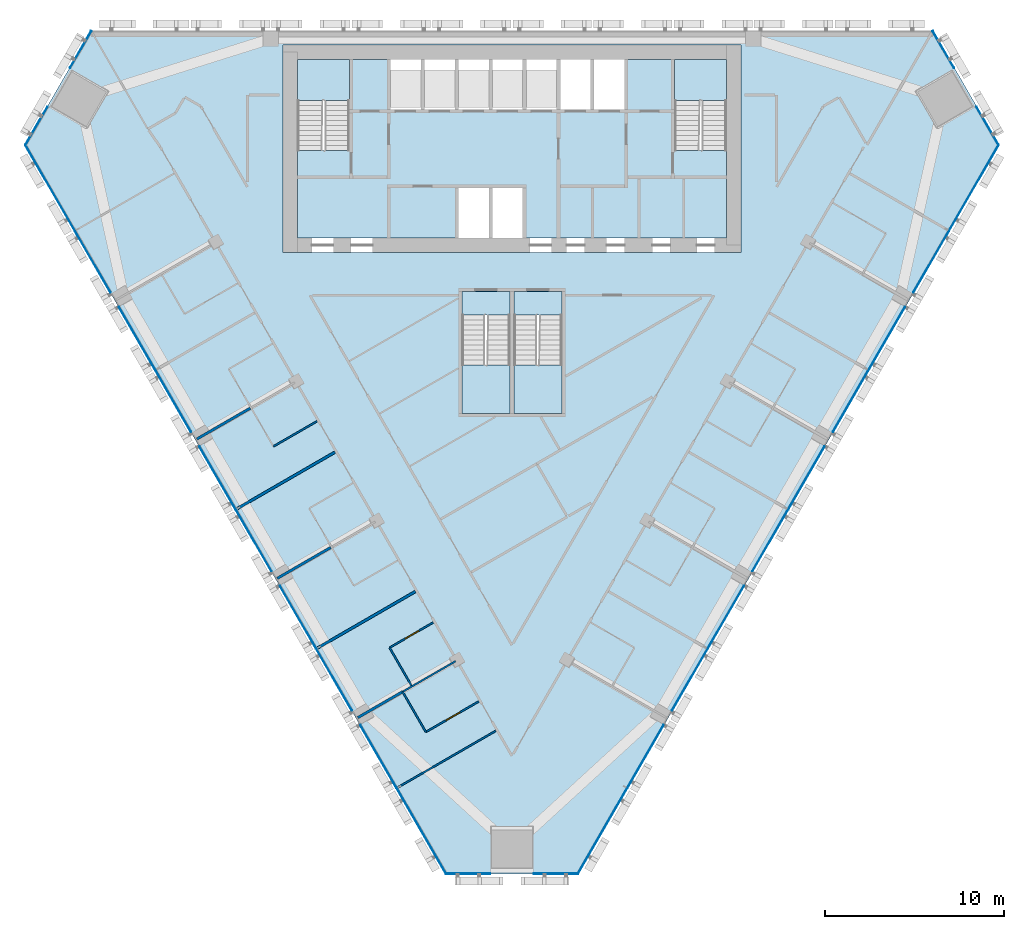
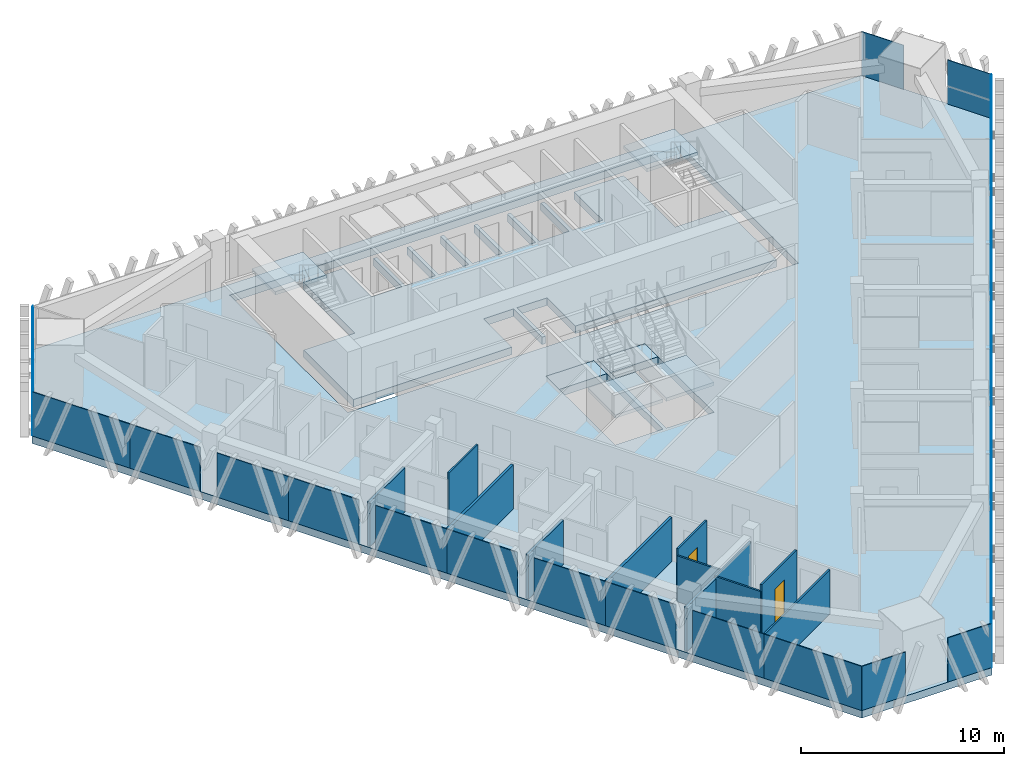
# One storey, part 8 of 16: 26 plates, 12 walls, 8 slabs, 2 doors, 2 openings, 9 elements without a shape of their own.
"""IFC4 building model written with IfcOpenShell, lengths in metres."""

from ifc_helpers import new_model, si_unit, direction, frame, frame_2d, origin, origin_2d, place, context, subcontext, project, spatial, polyline, rectangle, outline, extrude, material, layer, layer_set, type_object, element, fill, aggregate, save


model = new_model("IFC4")

# Units and contexts
model_context = context("Model", 3, precision=1e-05, world=origin(), true_north=direction((0.0, 1.0)))
body_context = subcontext(model_context, "Body", "Model", "MODEL_VIEW")
ifc_project = project(units=[si_unit("LENGTHUNIT", "METRE"), si_unit("AREAUNIT", "SQUARE_METRE"), si_unit("VOLUMEUNIT", "CUBIC_METRE"), si_unit("PLANEANGLEUNIT", "RADIAN"), si_unit("MASSUNIT", "GRAM", prefix="KILO")], contexts=[model_context])

# Site, building, storey
site_placement = place(None, origin())
site = spatial("IfcSite", under=ifc_project, at=site_placement, CompositionType="ELEMENT")
building_placement = place(site_placement, origin())
building = spatial("IfcBuilding", under=site, at=building_placement, Name="Altiplano Prism Tower", CompositionType="ELEMENT")
storey_placement = place(building_placement, frame((0.0, 0.0, 149.39990234375)))
storey = spatial("IfcBuildingStorey", under=building, at=storey_placement, Name="L38", CompositionType="ELEMENT", Elevation=149.39990234375)

# Curtain wall, plates
ifc_material_1 = material(Name="Aluminium and glass", Category="aluminium")
ifc_layer_1 = layer(ifc_material_1, 0.280029296875)
ifc_layer_set_1 = layer_set([ifc_layer_1], Name="Aluminium and glass")
curtain_wall_type = type_object("IfcCurtainWallType", Name="CW1 typical co-living unitised curtain wall", PredefinedType="NOTDEFINED", material=ifc_layer_set_1)
curtain_wall_1_placement = place(storey_placement, origin())
curtain_wall_1 = element("IfcCurtainWall", 1, at=curtain_wall_1_placement, inside=storey, type_object=curtain_wall_type, Name="CW1 curtain wall north-west chamfer L38", PredefinedType="NOTDEFINED")
ifc_material_2 = material(Name="Clear glass", Category="glass")
ifc_layer_2 = layer(ifc_material_2, 0.0400390625)
ifc_layer_set_2 = layer_set([ifc_layer_2], Name="Clear glass")
plate_type = type_object("IfcPlateType", Name="CW1 insulated glass unit 40", PredefinedType="CURTAIN_PANEL", material=ifc_layer_set_2)
plate_1_placement = place(storey_placement, frame((60.86376953125, 103.94580078125, 0.000244140625), z_axis=(0.0, 0.0, 1.0), x_axis=(-0.50000000848, -0.866025398889, 0.0)))
plate_1 = element("IfcPlate", 2, at=plate_1_placement, type_object=plate_type, Name="CW1 panel", PredefinedType="CURTAIN_PANEL", context=body_context, shape_type="SweptSolid", body=[
    extrude(rectangle(XDim=2.401611328125, YDim=0.0400390625, at=origin_2d()), origin(), (0.0, 0.0, 1.0), 2.64990234375),
])
plate_2_placement = place(storey_placement, frame((58.39794921875, 99.675048828125, 0.000244140625), z_axis=(0.0, 0.0, 1.0), x_axis=(-0.50000000848, -0.866025398889, 0.0)))
plate_2 = element("IfcPlate", 3, at=plate_2_placement, type_object=plate_type, Name="CW1 panel", PredefinedType="CURTAIN_PANEL", context=body_context, shape_type="SweptSolid", body=[
    extrude(rectangle(XDim=2.4814453125, YDim=0.0400390625, at=origin_2d()), origin(), (0.0, 0.0, 1.0), 2.64990234375),
])
aggregate(curtain_wall_1, [plate_1, plate_2])

curtain_wall_2_placement = place(storey_placement, origin())
curtain_wall_2 = element("IfcCurtainWall", 4, at=curtain_wall_2_placement, inside=storey, type_object=curtain_wall_type, Name="CW1 curtain wall south-west face L38", PredefinedType="NOTDEFINED")
plate_3_placement = place(storey_placement, frame((59.162841796875, 96.212646484375, 0.000244140625), z_axis=(0.0, 0.0, 1.0), x_axis=(0.500000004459, -0.86602540121, 0.0)))
plate_3 = element("IfcPlate", 5, at=plate_3_placement, type_object=plate_type, Name="CW1 panel", PredefinedType="CURTAIN_PANEL", context=body_context, shape_type="SweptSolid", body=[
    extrude(rectangle(XDim=5.540771484375, YDim=0.0400390625, at=origin_2d()), origin(), (0.0, 0.0, 1.0), 2.64990234375),
])
plate_4_placement = place(storey_placement, frame((61.54931640625, 92.078857421875, 0.000244140625), z_axis=(0.0, 0.0, 1.0), x_axis=(0.500000004459, -0.86602540121, 0.0)))
plate_4 = element("IfcPlate", 6, at=plate_4_placement, type_object=plate_type, Name="CW1 panel", PredefinedType="CURTAIN_PANEL", context=body_context, shape_type="SweptSolid", body=[
    extrude(rectangle(XDim=3.985595703125, YDim=0.0400390625, at=origin_2d()), origin(), (0.0, 0.0, 1.0), 2.64990234375),
])
plate_5_placement = place(storey_placement, frame((64.03173828125, 87.779052734375, 0.000244140625), z_axis=(0.0, 0.0, 1.0), x_axis=(0.500000004459, -0.86602540121, 0.0)))
plate_5 = element("IfcPlate", 7, at=plate_5_placement, type_object=plate_type, Name="CW1 panel", PredefinedType="CURTAIN_PANEL", context=body_context, shape_type="SweptSolid", body=[
    extrude(rectangle(XDim=4.064453125, YDim=0.0400390625, at=origin_2d()), origin(), (0.0, 0.0, 1.0), 2.64990234375),
])
plate_6_placement = place(storey_placement, frame((66.04931640625, 84.28466796875, 0.000244140625), z_axis=(0.0, 0.0, 1.0), x_axis=(0.500000004459, -0.86602540121, 0.0)))
plate_6 = element("IfcPlate", 8, at=plate_6_placement, type_object=plate_type, Name="CW1 panel", PredefinedType="CURTAIN_PANEL", context=body_context, shape_type="SweptSolid", body=[
    extrude(rectangle(XDim=3.985595703125, YDim=0.0400390625, at=origin_2d()), origin(), (0.0, 0.0, 1.0), 2.64990234375),
])
plate_7_placement = place(storey_placement, frame((68.53173828125, 79.98486328125, 0.000244140625), z_axis=(0.0, 0.0, 1.0), x_axis=(0.500000004459, -0.86602540121, 0.0)))
plate_7 = element("IfcPlate", 9, at=plate_7_placement, type_object=plate_type, Name="CW1 panel", PredefinedType="CURTAIN_PANEL", context=body_context, shape_type="SweptSolid", body=[
    extrude(rectangle(XDim=4.064453125, YDim=0.0400390625, at=origin_2d()), origin(), (0.0, 0.0, 1.0), 2.64990234375),
])
plate_8_placement = place(storey_placement, frame((70.54931640625, 76.490478515625, 0.000244140625), z_axis=(0.0, 0.0, 1.0), x_axis=(0.500000004459, -0.86602540121, 0.0)))
plate_8 = element("IfcPlate", 10, at=plate_8_placement, type_object=plate_type, Name="CW1 panel", PredefinedType="CURTAIN_PANEL", context=body_context, shape_type="SweptSolid", body=[
    extrude(rectangle(XDim=3.985595703125, YDim=0.0400390625, at=origin_2d()), origin(), (0.0, 0.0, 1.0), 2.64990234375),
])
plate_9_placement = place(storey_placement, frame((73.03173828125, 72.190673828125, 0.000244140625), z_axis=(0.0, 0.0, 1.0), x_axis=(0.500000004459, -0.86602540121, 0.0)))
plate_9 = element("IfcPlate", 11, at=plate_9_placement, type_object=plate_type, Name="CW1 panel", PredefinedType="CURTAIN_PANEL", context=body_context, shape_type="SweptSolid", body=[
    extrude(rectangle(XDim=4.064453125, YDim=0.0400390625, at=origin_2d()), origin(), (0.0, 0.0, 1.0), 2.64990234375),
])
plate_10_placement = place(storey_placement, frame((75.04931640625, 68.6962890625, 0.000244140625), z_axis=(0.0, 0.0, 1.0), x_axis=(0.500000004459, -0.86602540121, 0.0)))
plate_10 = element("IfcPlate", 12, at=plate_10_placement, type_object=plate_type, Name="CW1 panel", PredefinedType="CURTAIN_PANEL", context=body_context, shape_type="SweptSolid", body=[
    extrude(rectangle(XDim=3.985595703125, YDim=0.0400390625, at=origin_2d()), origin(), (0.0, 0.0, 1.0), 2.64990234375),
])
plate_11_placement = place(storey_placement, frame((77.53173828125, 64.396240234375, 0.000244140625), z_axis=(0.0, 0.0, 1.0), x_axis=(0.500000004459, -0.86602540121, 0.0)))
plate_11 = element("IfcPlate", 13, at=plate_11_placement, type_object=plate_type, Name="CW1 panel", PredefinedType="CURTAIN_PANEL", context=body_context, shape_type="SweptSolid", body=[
    extrude(rectangle(XDim=4.064453125, YDim=0.0400390625, at=origin_2d()), origin(), (0.0, 0.0, 1.0), 2.64990234375),
])
plate_12_placement = place(storey_placement, frame((79.938232421875, 60.228515625, 0.000244140625), z_axis=(0.0, 0.0, 1.0), x_axis=(0.500000004459, -0.86602540121, 0.0)))
plate_12 = element("IfcPlate", 14, at=plate_12_placement, type_object=plate_type, Name="CW1 panel", PredefinedType="CURTAIN_PANEL", context=body_context, shape_type="SweptSolid", body=[
    extrude(rectangle(XDim=5.540771484375, YDim=0.0400390625, at=origin_2d()), origin(), (0.0, 0.0, 1.0), 2.64990234375),
])
aggregate(curtain_wall_2, [plate_3, plate_4, plate_5, plate_6, plate_7, plate_8, plate_9, plate_10, plate_11, plate_12])

curtain_wall_3_placement = place(storey_placement, origin())
curtain_wall_3 = element("IfcCurtainWall", 15, at=curtain_wall_3_placement, inside=storey, type_object=curtain_wall_type, Name="CW1 curtain wall south chamfer L38", PredefinedType="NOTDEFINED")
plate_13_placement = place(storey_placement, frame((82.55419921875, 57.8349609375, 0.000244140625), z_axis=(0.0, 0.0, 1.0), x_axis=(1.0, 0.0, 0.0)))
plate_13 = element("IfcPlate", 16, at=plate_13_placement, type_object=plate_type, Name="CW1 panel", PredefinedType="CURTAIN_PANEL", context=body_context, shape_type="SweptSolid", body=[
    extrude(rectangle(XDim=2.4814453125, YDim=0.0400390625, at=origin_2d()), origin(), (0.0, 0.0, 1.0), 2.64990234375),
])
plate_14_placement = place(storey_placement, frame((87.44580078125, 57.8349609375, 0.000244140625), z_axis=(0.0, 0.0, 1.0), x_axis=(1.0, 0.0, 0.0)))
plate_14 = element("IfcPlate", 17, at=plate_14_placement, type_object=plate_type, Name="CW1 panel", PredefinedType="CURTAIN_PANEL", context=body_context, shape_type="SweptSolid", body=[
    extrude(rectangle(XDim=2.4814453125, YDim=0.0400390625, at=origin_2d()), origin(), (0.0, 0.0, 1.0), 2.64990234375),
])
aggregate(curtain_wall_3, [plate_13, plate_14])

curtain_wall_4_placement = place(storey_placement, origin())
curtain_wall_4 = element("IfcCurtainWall", 18, at=curtain_wall_4_placement, inside=storey, type_object=curtain_wall_type, Name="CW1 curtain wall south-east face L38", PredefinedType="NOTDEFINED")
plate_15_placement = place(storey_placement, frame((90.061767578125, 60.228515625, 0.000244140625), z_axis=(0.0, 0.0, 1.0), x_axis=(0.500000004459, 0.86602540121, 0.0)))
plate_15 = element("IfcPlate", 19, at=plate_15_placement, type_object=plate_type, Name="CW1 panel", PredefinedType="CURTAIN_PANEL", context=body_context, shape_type="SweptSolid", body=[
    extrude(rectangle(XDim=5.540771484375, YDim=0.0400390625, at=origin_2d()), origin(), (0.0, 0.0, 1.0), 2.64990234375),
])
plate_16_placement = place(storey_placement, frame((92.46826171875, 64.396240234375, 0.000244140625), z_axis=(0.0, 0.0, 1.0), x_axis=(0.500000004459, 0.86602540121, 0.0)))
plate_16 = element("IfcPlate", 20, at=plate_16_placement, type_object=plate_type, Name="CW1 panel", PredefinedType="CURTAIN_PANEL", context=body_context, shape_type="SweptSolid", body=[
    extrude(rectangle(XDim=4.064453125, YDim=0.0400390625, at=origin_2d()), origin(), (0.0, 0.0, 1.0), 2.64990234375),
])
plate_17_placement = place(storey_placement, frame((94.95068359375, 68.6962890625, 0.000244140625), z_axis=(0.0, 0.0, 1.0), x_axis=(0.500000004459, 0.86602540121, 0.0)))
plate_17 = element("IfcPlate", 21, at=plate_17_placement, type_object=plate_type, Name="CW1 panel", PredefinedType="CURTAIN_PANEL", context=body_context, shape_type="SweptSolid", body=[
    extrude(rectangle(XDim=3.985595703125, YDim=0.0400390625, at=origin_2d()), origin(), (0.0, 0.0, 1.0), 2.64990234375),
])
plate_18_placement = place(storey_placement, frame((96.96826171875, 72.190673828125, 0.000244140625), z_axis=(0.0, 0.0, 1.0), x_axis=(0.500000004459, 0.86602540121, 0.0)))
plate_18 = element("IfcPlate", 22, at=plate_18_placement, type_object=plate_type, Name="CW1 panel", PredefinedType="CURTAIN_PANEL", context=body_context, shape_type="SweptSolid", body=[
    extrude(rectangle(XDim=4.064453125, YDim=0.0400390625, at=origin_2d()), origin(), (0.0, 0.0, 1.0), 2.64990234375),
])
plate_19_placement = place(storey_placement, frame((99.45068359375, 76.490478515625, 0.000244140625), z_axis=(0.0, 0.0, 1.0), x_axis=(0.500000004459, 0.86602540121, 0.0)))
plate_19 = element("IfcPlate", 23, at=plate_19_placement, type_object=plate_type, Name="CW1 panel", PredefinedType="CURTAIN_PANEL", context=body_context, shape_type="SweptSolid", body=[
    extrude(rectangle(XDim=3.985595703125, YDim=0.0400390625, at=origin_2d()), origin(), (0.0, 0.0, 1.0), 2.64990234375),
])
plate_20_placement = place(storey_placement, frame((101.46826171875, 79.98486328125, 0.000244140625), z_axis=(0.0, 0.0, 1.0), x_axis=(0.500000004459, 0.86602540121, 0.0)))
plate_20 = element("IfcPlate", 24, at=plate_20_placement, type_object=plate_type, Name="CW1 panel", PredefinedType="CURTAIN_PANEL", context=body_context, shape_type="SweptSolid", body=[
    extrude(rectangle(XDim=4.064453125, YDim=0.0400390625, at=origin_2d()), origin(), (0.0, 0.0, 1.0), 2.64990234375),
])
plate_21_placement = place(storey_placement, frame((103.95068359375, 84.28466796875, 0.000244140625), z_axis=(0.0, 0.0, 1.0), x_axis=(0.500000004459, 0.86602540121, 0.0)))
plate_21 = element("IfcPlate", 25, at=plate_21_placement, type_object=plate_type, Name="CW1 panel", PredefinedType="CURTAIN_PANEL", context=body_context, shape_type="SweptSolid", body=[
    extrude(rectangle(XDim=3.985595703125, YDim=0.0400390625, at=origin_2d()), origin(), (0.0, 0.0, 1.0), 2.64990234375),
])
plate_22_placement = place(storey_placement, frame((105.96826171875, 87.779052734375, 0.000244140625), z_axis=(0.0, 0.0, 1.0), x_axis=(0.500000004459, 0.86602540121, 0.0)))
plate_22 = element("IfcPlate", 26, at=plate_22_placement, type_object=plate_type, Name="CW1 panel", PredefinedType="CURTAIN_PANEL", context=body_context, shape_type="SweptSolid", body=[
    extrude(rectangle(XDim=4.064453125, YDim=0.0400390625, at=origin_2d()), origin(), (0.0, 0.0, 1.0), 2.64990234375),
])
plate_23_placement = place(storey_placement, frame((108.45068359375, 92.078857421875, 0.000244140625), z_axis=(0.0, 0.0, 1.0), x_axis=(0.500000004459, 0.86602540121, 0.0)))
plate_23 = element("IfcPlate", 27, at=plate_23_placement, type_object=plate_type, Name="CW1 panel", PredefinedType="CURTAIN_PANEL", context=body_context, shape_type="SweptSolid", body=[
    extrude(rectangle(XDim=3.985595703125, YDim=0.0400390625, at=origin_2d()), origin(), (0.0, 0.0, 1.0), 2.64990234375),
])
plate_24_placement = place(storey_placement, frame((110.837158203125, 96.212646484375, 0.000244140625), z_axis=(0.0, 0.0, 1.0), x_axis=(0.500000004459, 0.86602540121, 0.0)))
plate_24 = element("IfcPlate", 28, at=plate_24_placement, type_object=plate_type, Name="CW1 panel", PredefinedType="CURTAIN_PANEL", context=body_context, shape_type="SweptSolid", body=[
    extrude(rectangle(XDim=5.540771484375, YDim=0.0400390625, at=origin_2d()), origin(), (0.0, 0.0, 1.0), 2.64990234375),
])
aggregate(curtain_wall_4, [plate_15, plate_16, plate_17, plate_18, plate_19, plate_20, plate_21, plate_22, plate_23, plate_24])

curtain_wall_5_placement = place(storey_placement, origin())
curtain_wall_5 = element("IfcCurtainWall", 29, at=curtain_wall_5_placement, inside=storey, type_object=curtain_wall_type, Name="CW1 curtain wall north-east chamfer L38", PredefinedType="NOTDEFINED")
plate_25_placement = place(storey_placement, frame((111.60205078125, 99.675048828125, 0.000244140625), z_axis=(0.0, 0.0, 1.0), x_axis=(-0.50000000848, 0.866025398889, 0.0)))
plate_25 = element("IfcPlate", 30, at=plate_25_placement, type_object=plate_type, Name="CW1 panel", PredefinedType="CURTAIN_PANEL", context=body_context, shape_type="SweptSolid", body=[
    extrude(rectangle(XDim=2.4814453125, YDim=0.0400390625, at=origin_2d()), origin(), (0.0, 0.0, 1.0), 2.64990234375),
])
plate_26_placement = place(storey_placement, frame((109.13623046875, 103.94580078125, 0.000244140625), z_axis=(0.0, 0.0, 1.0), x_axis=(-0.50000000848, 0.866025398889, 0.0)))
plate_26 = element("IfcPlate", 31, at=plate_26_placement, type_object=plate_type, Name="CW1 panel", PredefinedType="CURTAIN_PANEL", context=body_context, shape_type="SweptSolid", body=[
    extrude(rectangle(XDim=2.401611328125, YDim=0.0400390625, at=origin_2d()), origin(), (0.0, 0.0, 1.0), 2.64990234375),
])
aggregate(curtain_wall_5, [plate_25, plate_26])

# Slabs
ifc_material_3 = material(Name="Concrete C40/50", Category="concrete")
ifc_layer_3 = layer(ifc_material_3, 0.449951171875)
ifc_layer_set_3 = layer_set([ifc_layer_3], Name="Concrete C40/50")
slab_type_1 = type_object("IfcSlabType", Name="Core floor slab 450", PredefinedType="FLOOR", material=ifc_layer_set_3)
slab_1_placement = place(storey_placement, frame((0.0, 0.0, -0.449951171875)))
element("IfcSlab", 32, at=slab_1_placement, inside=storey, type_object=slab_type_1, Name="Core floor slab L38", PredefinedType="FLOOR", context=body_context, shape_type="SweptSolid", body=[
    extrude(outline(polyline([(97.0, 98.31005859375), (94.10009765625, 98.31005859375), (94.10009765625, 103.39990234375), (91.300048828125, 103.39990234375), (91.300048828125, 100.60009765625), (89.60009765625, 100.60009765625), (89.60009765625, 103.39990234375), (89.39990234375, 103.39990234375), (89.39990234375, 100.60009765625), (87.699951171875, 100.60009765625), (87.699951171875, 103.39990234375), (87.5, 103.39990234375), (87.5, 100.60009765625), (85.800048828125, 100.60009765625), (85.800048828125, 103.39990234375), (85.60009765625, 103.39990234375), (85.60009765625, 100.60009765625), (83.89990234375, 100.60009765625), (83.89990234375, 103.39990234375), (83.699951171875, 103.39990234375), (83.699951171875, 100.60009765625), (82.0, 100.60009765625), (82.0, 103.39990234375), (81.800048828125, 103.39990234375), (81.800048828125, 100.60009765625), (80.10009765625, 100.60009765625), (80.10009765625, 103.39990234375), (79.89990234375, 103.39990234375), (79.89990234375, 100.60009765625), (78.199951171875, 100.60009765625), (78.199951171875, 103.39990234375), (75.89990234375, 103.39990234375), (75.89990234375, 98.31005859375), (73.0, 98.31005859375), (73.0, 93.39990234375), (82.0, 93.39990234375), (82.0, 96.199951171875), (83.699951171875, 96.199951171875), (83.699951171875, 93.39990234375), (83.89990234375, 93.39990234375), (83.89990234375, 96.199951171875), (85.60009765625, 96.199951171875), (85.60009765625, 93.39990234375), (97.0, 93.39990234375), (97.0, 98.31005859375)])), origin(), (0.0, 0.0, 1.0), 0.449951171875),
])
slab_2_placement = place(storey_placement, frame((0.0, 0.0, -0.449951171875)))
element("IfcSlab", 33, at=slab_2_placement, inside=storey, type_object=slab_type_1, Name="Stair 3A landing slab L38", PredefinedType="FLOOR", context=body_context, shape_type="SweptSolid", body=[
    extrude(outline(polyline([(82.199951171875, 89.096923828125), (84.89990234375, 89.096923828125), (84.89990234375, 90.39990234375), (82.199951171875, 90.39990234375), (82.199951171875, 89.096923828125)])), origin(), (0.0, 0.0, 1.0), 0.449951171875),
])
slab_3_placement = place(storey_placement, frame((0.0, 0.0, -0.449951171875)))
element("IfcSlab", 34, at=slab_3_placement, inside=storey, type_object=slab_type_1, Name="Stair 3B landing slab L38", PredefinedType="FLOOR", context=body_context, shape_type="SweptSolid", body=[
    extrude(outline(polyline([(85.10009765625, 89.096923828125), (87.800048828125, 89.096923828125), (87.800048828125, 90.39990234375), (85.10009765625, 90.39990234375), (85.10009765625, 89.096923828125)])), origin(), (0.0, 0.0, 1.0), 0.449951171875),
])
ifc_layer_4 = layer(ifc_material_3, 0.449951171875)
ifc_layer_set_4 = layer_set([ifc_layer_4], Name="Concrete C40/50")
slab_type_2 = type_object("IfcSlabType", Name="Post-tensioned flat slab 450", PredefinedType="FLOOR", material=ifc_layer_set_4)
slab_4_placement = place(storey_placement, frame((0.0, 0.0, -0.449951171875)))
element("IfcSlab", 35, at=slab_4_placement, inside=storey, type_object=slab_type_2, Name="Floor slab L38", PredefinedType="FLOOR", context=body_context, shape_type="SweptSolid", body=[
    extrude(outline(polyline([(81.30859375, 57.81494140625), (57.7578125, 98.606201171875), (61.44921875, 105.0), (108.55078125, 105.0), (112.2421875, 98.606201171875), (88.69140625, 57.81494140625), (81.30859375, 57.81494140625)]), holes=[polyline([(72.199951171875, 104.199951171875), (72.199951171875, 92.60009765625), (97.800048828125, 92.60009765625), (97.800048828125, 104.199951171875), (72.199951171875, 104.199951171875)]), polyline([(84.89990234375, 90.39990234375), (82.199951171875, 90.39990234375), (82.199951171875, 83.60009765625), (84.89990234375, 83.60009765625), (84.89990234375, 90.39990234375)]), polyline([(87.800048828125, 83.60009765625), (87.800048828125, 90.39990234375), (85.10009765625, 90.39990234375), (85.10009765625, 83.60009765625), (87.800048828125, 83.60009765625)])]), origin(), (0.0, 0.0, 1.0), 0.449951171875),
])

# Stair, slab
stair_type_1 = type_object("IfcStairType", Name="Exit stair 1400", PredefinedType="HALF_TURN_STAIR", material=ifc_material_3)
stair_1_placement = place(storey_placement, origin())
stair_1 = element("IfcStair", 36, at=stair_1_placement, inside=storey, type_object=stair_type_1, Name="L38 Exit Stair 1", PredefinedType="HALF_TURN_STAIR")
ifc_layer_5 = layer(ifc_material_3, 0.199951171875)
ifc_layer_set_5 = layer_set([ifc_layer_5], Name="Concrete C40/50")
slab_type_3 = type_object("IfcSlabType", Name="Stair landing 200", PredefinedType="LANDING", material=ifc_layer_set_5)
slab_5_placement = place(storey_placement, frame((0.0, 0.0, 1.60009765625)))
slab_5 = element("IfcSlab", 37, at=slab_5_placement, type_object=slab_type_3, Name="ST1 landing 1", PredefinedType="LANDING", context=body_context, shape_type="SweptSolid", body=[
    extrude(outline(polyline([(75.89990234375, 101.096923828125), (75.89990234375, 103.39990234375), (73.0, 103.39990234375), (73.0, 101.096923828125), (75.89990234375, 101.096923828125)])), origin(), (0.0, 0.0, 1.0), 0.199951171875),
])
aggregate(stair_1, [slab_5])

stair_2_placement = place(storey_placement, origin())
stair_2 = element("IfcStair", 38, at=stair_2_placement, inside=storey, type_object=stair_type_1, Name="L38 Exit Stair 2", PredefinedType="HALF_TURN_STAIR")
slab_6_placement = place(storey_placement, frame((0.0, 0.0, 1.60009765625)))
slab_6 = element("IfcSlab", 39, at=slab_6_placement, type_object=slab_type_3, Name="ST2 landing 1", PredefinedType="LANDING", context=body_context, shape_type="SweptSolid", body=[
    extrude(outline(polyline([(97.0, 101.096923828125), (97.0, 103.39990234375), (94.10009765625, 103.39990234375), (94.10009765625, 101.096923828125), (97.0, 101.096923828125)])), origin(), (0.0, 0.0, 1.0), 0.199951171875),
])
aggregate(stair_2, [slab_6])

stair_type_2 = type_object("IfcStairType", Name="Exit stair 1300", PredefinedType="HALF_TURN_STAIR", material=ifc_material_3)
stair_3_placement = place(storey_placement, origin())
stair_3 = element("IfcStair", 40, at=stair_3_placement, inside=storey, type_object=stair_type_2, Name="L38 Exit Stair 3A", PredefinedType="HALF_TURN_STAIR")
slab_7_placement = place(storey_placement, frame((0.0, 0.0, 1.60009765625)))
slab_7 = element("IfcSlab", 41, at=slab_7_placement, type_object=slab_type_3, Name="ST3A landing 1", PredefinedType="LANDING", context=body_context, shape_type="SweptSolid", body=[
    extrude(outline(polyline([(82.199951171875, 86.302978515625), (82.199951171875, 83.60009765625), (84.89990234375, 83.60009765625), (84.89990234375, 86.302978515625), (82.199951171875, 86.302978515625)])), origin(), (0.0, 0.0, 1.0), 0.199951171875),
])
aggregate(stair_3, [slab_7])

stair_4_placement = place(storey_placement, origin())
stair_4 = element("IfcStair", 42, at=stair_4_placement, inside=storey, type_object=stair_type_2, Name="L38 Exit Stair 3B", PredefinedType="HALF_TURN_STAIR")
slab_8_placement = place(storey_placement, frame((0.0, 0.0, 1.60009765625)))
slab_8 = element("IfcSlab", 43, at=slab_8_placement, type_object=slab_type_3, Name="ST3B landing 1", PredefinedType="LANDING", context=body_context, shape_type="SweptSolid", body=[
    extrude(outline(polyline([(85.10009765625, 86.302978515625), (85.10009765625, 83.60009765625), (87.800048828125, 83.60009765625), (87.800048828125, 86.302978515625), (85.10009765625, 86.302978515625)])), origin(), (0.0, 0.0, 1.0), 0.199951171875),
])
aggregate(stair_4, [slab_8])

# Walls
ifc_material_4 = material(Name="Plasterboard on steel stud", Category="steel")
ifc_layer_6 = layer(ifc_material_4, 0.10009765625)
ifc_layer_set_6 = layer_set([ifc_layer_6], Name="Plasterboard on steel stud")
wall_type_1 = type_object("IfcWallType", Name="Partition 100 unit", PredefinedType="PARTITIONING", material=ifc_layer_set_6)
wall_1_placement = place(storey_placement, frame((74.097412109375, 83.155029296875, 0.0), z_axis=(0.0, 0.0, 1.0), x_axis=(-0.866048868473, -0.499959355765, 0.0)))
element("IfcWall", 44, at=wall_1_placement, inside=storey, type_object=wall_type_1, Name="Partition P02 L38 037", PredefinedType="PARTITIONING", context=body_context, shape_type="SweptSolid", body=[
    extrude(rectangle(XDim=2.824951171875, YDim=0.10009765625, at=frame_2d((1.41259765625, 0.0))), origin(), (0.0, 0.0, 1.0), 3.150146484375),
])
wall_2_placement = place(storey_placement, frame((79.375732421875, 68.362548828125, 0.0), z_axis=(0.0, 0.0, 1.0), x_axis=(-0.499943856944, 0.866057815567, 0.0)))
element("IfcWall", 45, at=wall_2_placement, inside=storey, type_object=wall_type_1, Name="Partition P02 L38 045", PredefinedType="PARTITIONING", context=body_context, shape_type="SweptSolid", body=[
    extrude(rectangle(XDim=2.449951171875, YDim=0.10009765625, at=frame_2d((1.22509765625, 0.0))), origin(), (0.0, 0.0, 1.0), 2.75),
])

# Wall, opening, door
wall_3_placement = place(storey_placement, frame((78.15087890625, 70.484375, 0.0), z_axis=(0.0, 0.0, 1.0), x_axis=(0.866048868473, 0.499959355765, 0.0)))
wall_3 = element("IfcWall", 46, at=wall_3_placement, inside=storey, type_object=wall_type_1, Name="Partition P02 L38 046", PredefinedType="PARTITIONING", context=body_context, shape_type="SweptSolid", body=[
    extrude(rectangle(XDim=2.824951171875, YDim=0.10009765625, at=frame_2d((1.41259765625, 0.0))), origin(), (0.0, 0.0, 1.0), 3.150146484375),
])
opening_1_placement = place(wall_3_placement, frame((1.0, 0.0, 0.0)))
opening_1 = element("IfcOpeningElement", 47, at=opening_1_placement, cuts=wall_3, Name="Opening D1393", PredefinedType="OPENING", context=body_context, shape_type="SweptSolid", body=[
    extrude(rectangle(XDim=0.89990234375, YDim=2.10009765625, at=frame_2d((0.449951171875, 1.050048828125))), frame((0.0, 0.060546875, 0.0), z_axis=(0.0, -1.0, 0.0), x_axis=(1.0, 0.0, 0.0)), (0.0, 0.0, 1.0), 0.12109375),
])
ifc_material_5 = material(Name="Timber", Category="wood")
door_type_1 = type_object("IfcDoorType", Name="Ensuite door 900 x 2100", OperationType="NOTDEFINED", PredefinedType="NOTDEFINED", material=ifc_material_5)
door_1_placement = place(opening_1_placement, origin())
door_1 = element("IfcDoor", 48, at=door_1_placement, inside=storey, type_object=door_type_1, Name="Door D1393", OperationType="SINGLE_SWING_LEFT", OverallHeight=2.10009765625, OverallWidth=0.89990234375, PredefinedType="NOTDEFINED", context=body_context, shape_type="SweptSolid", body=[
    extrude(rectangle(XDim=0.89990234375, YDim=2.10009765625, at=frame_2d((0.449951171875, 1.050048828125))), frame((0.0, 0.02490234375, 0.0), z_axis=(0.0, -1.0, 0.0), x_axis=(1.0, 0.0, 0.0)), (0.0, 0.0, 1.0), 0.050048828125),
])
fill(opening_1, door_1)

wall_4_placement = place(storey_placement, frame((83.147216796875, 67.47998046875, 0.0), z_axis=(0.0, 0.0, 1.0), x_axis=(-0.866032454348, -0.499987787867, 0.0)))
wall_4 = element("IfcWall", 49, at=wall_4_placement, inside=storey, type_object=wall_type_1, Name="Partition P02 L38 049", PredefinedType="PARTITIONING", context=body_context, shape_type="SweptSolid", body=[
    extrude(rectangle(XDim=3.4248046875, YDim=0.10009765625, at=frame_2d((1.71240234375, 0.0))), origin(), (0.0, 0.0, 1.0), 3.150146484375),
])
opening_2_placement = place(wall_4_placement, frame((1.22509765625, 0.0, 0.0)))
opening_2 = element("IfcOpeningElement", 50, at=opening_2_placement, cuts=wall_4, Name="Opening D1395", PredefinedType="OPENING", context=body_context, shape_type="SweptSolid", body=[
    extrude(rectangle(XDim=0.89990234375, YDim=2.10009765625, at=frame_2d((0.449951171875, 1.050048828125))), frame((0.0, 0.060546875, 0.0), z_axis=(0.0, -1.0, 0.0), x_axis=(1.0, 0.0, 0.0)), (0.0, 0.0, 1.0), 0.12109375),
])
door_type_2 = type_object("IfcDoorType", Name="Accessible ensuite door 900 x 2100", OperationType="NOTDEFINED", PredefinedType="NOTDEFINED", material=ifc_material_5)
door_2_placement = place(opening_2_placement, origin())
door_2 = element("IfcDoor", 51, at=door_2_placement, inside=storey, type_object=door_type_2, Name="Door D1395", OperationType="SINGLE_SWING_RIGHT", OverallHeight=2.10009765625, OverallWidth=0.89990234375, PredefinedType="NOTDEFINED", context=body_context, shape_type="SweptSolid", body=[
    extrude(rectangle(XDim=0.89990234375, YDim=2.10009765625, at=frame_2d((0.449951171875, 1.050048828125))), frame((0.0, 0.02490234375, 0.0), z_axis=(0.0, -1.0, 0.0), x_axis=(1.0, 0.0, 0.0)), (0.0, 0.0, 1.0), 0.050048828125),
])
fill(opening_2, door_2)

# Walls
wall_5_placement = place(storey_placement, frame((80.18115234375, 65.767578125, 0.0), z_axis=(0.0, 0.0, 1.0), x_axis=(-0.500006934395, 0.866021400173, 0.0)))
element("IfcWall", 52, at=wall_5_placement, inside=storey, type_object=wall_type_1, Name="Partition P02 L38 050", PredefinedType="PARTITIONING", context=body_context, shape_type="SweptSolid", body=[
    extrude(rectangle(XDim=2.60009765625, YDim=0.10009765625, at=frame_2d((1.300048828125, 0.0))), origin(), (0.0, 0.0, 1.0), 2.75),
])
ifc_layer_7 = layer(ifc_material_4, 0.10009765625)
ifc_layer_set_7 = layer_set([ifc_layer_7], Name="Plasterboard on steel stud")
wall_type_2 = type_object("IfcWallType", Name="Partition 100 wet", PredefinedType="PARTITIONING", material=ifc_layer_set_7)
wall_6_placement = place(storey_placement, frame((78.881103515625, 68.019287109375, 0.0), z_axis=(0.0, 0.0, 1.0), x_axis=(0.866050272892, 0.499956922968, 0.0)))
element("IfcWall", 53, at=wall_6_placement, inside=storey, type_object=wall_type_2, Name="Partition P03 L38 048", PredefinedType="PARTITIONING", context=body_context, shape_type="SweptSolid", body=[
    extrude(rectangle(XDim=3.425048828125, YDim=0.10009765625, at=frame_2d((1.71240234375, 0.0))), origin(), (0.0, 0.0, 1.0), 2.75),
])
wall_7_placement = place(storey_placement, frame((78.602294921875, 62.662109375, 0.0), z_axis=(0.0, 0.0, 1.0), x_axis=(0.866025401434, 0.500000004071, 0.0)))
element("IfcWall", 54, at=wall_7_placement, inside=storey, type_object=wall_type_2, Name="Partition P03 L38 051", PredefinedType="PARTITIONING", context=body_context, shape_type="SweptSolid", body=[
    extrude(rectangle(XDim=6.34521484375, YDim=0.10009765625, at=frame_2d((3.172607421875, 0.0))), origin(), (0.0, 0.0, 1.0), 2.650146484375),
])
ifc_layer_8 = layer(ifc_material_4, 0.14990234375)
ifc_layer_set_8 = layer_set([ifc_layer_8], Name="Plasterboard on steel stud")
wall_type_3 = type_object("IfcWallType", Name="Partition 150 party", PredefinedType="PARTITIONING", material=ifc_layer_set_8)
wall_8_placement = place(storey_placement, frame((67.36962890625, 82.15771484375, 0.0), z_axis=(0.0, 0.0, 1.0), x_axis=(0.866044174857, 0.499967486139, 0.0)))
element("IfcWall", 55, at=wall_8_placement, inside=storey, type_object=wall_type_3, Name="Partition P01 L38 035", PredefinedType="PARTITIONING", context=body_context, shape_type="SweptSolid", body=[
    extrude(rectangle(XDim=3.449951171875, YDim=0.14990234375, at=frame_2d((1.72509765625, 0.0))), origin(), (0.0, 0.0, 1.0), 2.650146484375),
])
wall_9_placement = place(storey_placement, frame((69.602294921875, 78.25048828125, 0.0), z_axis=(0.0, 0.0, 1.0), x_axis=(0.866025401434, 0.500000004071, 0.0)))
element("IfcWall", 56, at=wall_9_placement, inside=storey, type_object=wall_type_3, Name="Partition P01 L38 038", PredefinedType="PARTITIONING", context=body_context, shape_type="SweptSolid", body=[
    extrude(rectangle(XDim=6.34521484375, YDim=0.14990234375, at=frame_2d((3.172607421875, 0.0))), origin(), (0.0, 0.0, 1.0), 2.650146484375),
])
wall_10_placement = place(storey_placement, frame((71.86962890625, 74.363525390625, 0.0), z_axis=(0.0, 0.0, 1.0), x_axis=(0.866044174857, 0.499967486139, 0.0)))
element("IfcWall", 57, at=wall_10_placement, inside=storey, type_object=wall_type_3, Name="Partition P01 L38 041", PredefinedType="PARTITIONING", context=body_context, shape_type="SweptSolid", body=[
    extrude(rectangle(XDim=3.449951171875, YDim=0.14990234375, at=frame_2d((1.72509765625, 0.0))), origin(), (0.0, 0.0, 1.0), 2.650146484375),
])
wall_11_placement = place(storey_placement, frame((74.102294921875, 70.456298828125, 0.0), z_axis=(0.0, 0.0, 1.0), x_axis=(0.866025401434, 0.500000004071, 0.0)))
element("IfcWall", 58, at=wall_11_placement, inside=storey, type_object=wall_type_3, Name="Partition P01 L38 044", PredefinedType="PARTITIONING", context=body_context, shape_type="SweptSolid", body=[
    extrude(rectangle(XDim=6.34521484375, YDim=0.14990234375, at=frame_2d((3.172607421875, 0.0))), origin(), (0.0, 0.0, 1.0), 2.650146484375),
])
wall_12_placement = place(storey_placement, frame((76.36962890625, 66.5693359375, 0.0), z_axis=(0.0, 0.0, 1.0), x_axis=(0.866032775405, 0.499987231761, 0.0)))
element("IfcWall", 59, at=wall_12_placement, inside=storey, type_object=wall_type_3, Name="Partition P01 L38 047", PredefinedType="PARTITIONING", context=body_context, shape_type="SweptSolid", body=[
    extrude(rectangle(XDim=2.89990234375, YDim=0.14990234375, at=frame_2d((1.449951171875, 0.0))), origin(), (0.0, 0.0, 1.0), 2.650146484375),
])

save(model, "model.ifc")
